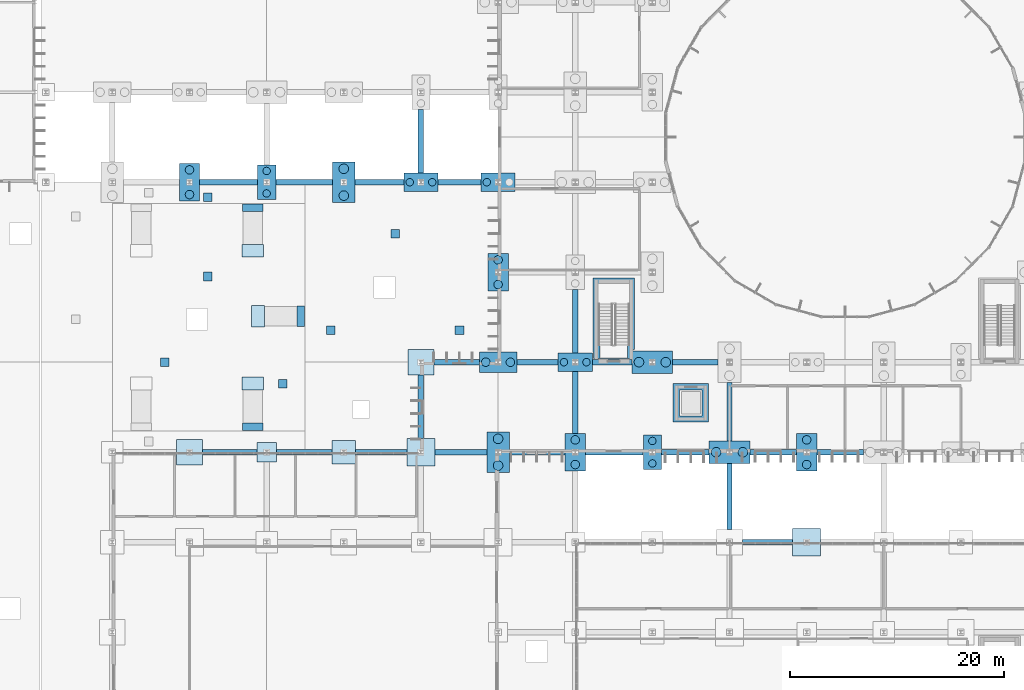
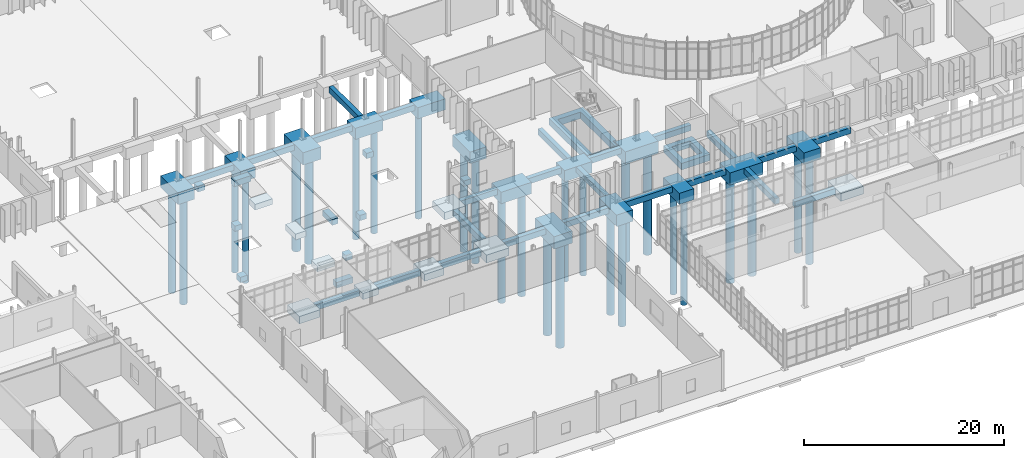
# One storey, part 2 of 118: 59 footings, 27 piles.
"""IFC4 building model written with IfcOpenShell, lengths in metres."""

from ifc_helpers import new_model, si_unit, direction, frame, origin, origin_2d, place, context, subcontext, project, spatial, polyline, rectangle, circle, outline, extrude, material, layer, layer_set, material_profile, profile_set, type_object, element, save


model = new_model("IFC4")

# Units and contexts
model_context = context("Model", 3, precision=1e-05, world=origin(), true_north=direction((0.0, 1.0)))
body_context = subcontext(model_context, "Body", "Model", "MODEL_VIEW")
ifc_project = project(units=[si_unit("LENGTHUNIT", "METRE"), si_unit("AREAUNIT", "SQUARE_METRE"), si_unit("VOLUMEUNIT", "CUBIC_METRE"), si_unit("PLANEANGLEUNIT", "RADIAN"), si_unit("MASSUNIT", "GRAM", prefix="KILO")], contexts=[model_context])

# Site, building, storey
site_placement = place(None, origin())
site = spatial("IfcSite", under=ifc_project, at=site_placement, CompositionType="ELEMENT")
building_placement = place(site_placement, origin())
building = spatial("IfcBuilding", under=site, at=building_placement, Name="Qelthora Terrace Specialist Clinic", CompositionType="ELEMENT")
storey_placement = place(building_placement, origin())
storey = spatial("IfcBuildingStorey", under=building, at=storey_placement, Name="L00", CompositionType="ELEMENT", Elevation=0.0)

# Footings
ifc_material = material(Name="Concrete C35/45", Category="concrete")
ifc_layer_1 = layer(ifc_material, 1.35009765625)
ifc_layer_set_1 = layer_set([ifc_layer_1], Name="Concrete C35/45")
footing_type_1 = type_object("IfcFootingType", Name="PC-1700X3200X1350", PredefinedType="PILE_CAP", material=ifc_layer_set_1)
for number, where, z_axis, x_axis, name in (
    (1, (72.0, 58.800048828125, -1.610107421875), (0.0, 0.0, 1.0), (1.0, 0.0, 0.0), "Foundation FTG-L00-125"),
    (2, (108.0, 33.60009765625, -1.610107421875), (0.0, 0.0, 1.0), (1.0, 0.0, 0.0), "Foundation FTG-L00-179"),
):
    element("IfcFooting", number, at=place(storey_placement, frame(where, z_axis=z_axis, x_axis=x_axis)), inside=storey, type_object=footing_type_1, Name=name, PredefinedType="PILE_CAP", context=body_context, shape_type="SweptSolid", body=[
        extrude(rectangle(XDim=1.699951171875, YDim=3.199951171875, at=origin_2d()), origin(), (0.0, 0.0, 1.0), 1.35009765625),
    ])
ifc_layer_2 = layer(ifc_material, 1.39990234375)
ifc_layer_set_2 = layer_set([ifc_layer_2], Name="Concrete C35/45")
footing_type_2 = type_object("IfcFootingType", Name="PC-1900X3500X1400", PredefinedType="PILE_CAP", material=ifc_layer_set_2)
for number, where, z_axis, x_axis, name in (
    (3, (64.800048828125, 58.800048828125, -1.659912109375), (0.0, 0.0, 1.0), (1.0, 0.0, 0.0), "Foundation FTG-L00-117"),
    (4, (93.60009765625, 50.39990234375, -1.659912109375), (0.0, 0.0, 1.0), (1.0, 0.0, 0.0), "Foundation FTG-L00-153"),
    (5, (100.800048828125, 33.60009765625, -1.659912109375), (0.0, 0.0, 1.0), (1.0, 0.0, 0.0), "Foundation FTG-L00-165"),
    (6, (122.39990234375, 33.60009765625, -1.659912109375), (0.0, 0.0, 1.0), (1.0, 0.0, 0.0), "Foundation FTG-L00-201"),
):
    element("IfcFooting", number, at=place(storey_placement, frame(where, z_axis=z_axis, x_axis=x_axis)), inside=storey, type_object=footing_type_2, Name=name, PredefinedType="PILE_CAP", context=body_context, shape_type="SweptSolid", body=[
        extrude(rectangle(XDim=1.89990234375, YDim=3.5, at=origin_2d()), origin(), (0.0, 0.0, 1.0), 1.39990234375),
    ])
ifc_layer_3 = layer(ifc_material, 1.5)
ifc_layer_set_3 = layer_set([ifc_layer_3], Name="Concrete C35/45")
footing_type_3 = type_object("IfcFootingType", Name="PC-2100X3800X1500", PredefinedType="PILE_CAP", material=ifc_layer_set_3)
for number, where, z_axis, x_axis, name in (
    (7, (79.199951171875, 58.800048828125, -1.760009765625), (0.0, 0.0, 1.0), (1.0, 0.0, 0.0), "Foundation FTG-L00-133"),
    (8, (93.60009765625, 33.60009765625, -1.760009765625), (0.0, 0.0, 1.0), (1.0, 0.0, 0.0), "Foundation FTG-L00-151"),
):
    element("IfcFooting", number, at=place(storey_placement, frame(where, z_axis=z_axis, x_axis=x_axis)), inside=storey, type_object=footing_type_3, Name=name, PredefinedType="PILE_CAP", context=body_context, shape_type="SweptSolid", body=[
        extrude(rectangle(XDim=2.10009765625, YDim=3.800048828125, at=origin_2d()), origin(), (0.0, 0.0, 1.0), 1.5),
    ])
ifc_layer_4 = layer(ifc_material, 1.35009765625)
ifc_layer_set_4 = layer_set([ifc_layer_4], Name="Concrete C35/45")
footing_type_4 = type_object("IfcFootingType", Name="PC-3200X1700X1350", PredefinedType="PILE_CAP", material=ifc_layer_set_4)
for number, where, z_axis, x_axis, name in (
    (9, (86.39990234375, 58.800048828125, -1.610107421875), (0.0, 0.0, 1.0), (1.0, 0.0, 0.0), "Foundation FTG-L00-142"),
    (10, (93.60009765625, 58.800048828125, -1.610107421875), (0.0, 0.0, 1.0), (1.0, 0.0, 0.0), "Foundation FTG-L00-154"),
    (11, (100.800048828125, 42.0, -1.610107421875), (0.0, 0.0, 1.0), (1.0, 0.0, 0.0), "Foundation FTG-L00-166"),
):
    element("IfcFooting", number, at=place(storey_placement, frame(where, z_axis=z_axis, x_axis=x_axis)), inside=storey, type_object=footing_type_4, Name=name, PredefinedType="PILE_CAP", context=body_context, shape_type="SweptSolid", body=[
        extrude(rectangle(XDim=3.199951171875, YDim=1.699951171875, at=origin_2d()), origin(), (0.0, 0.0, 1.0), 1.35009765625),
    ])
ifc_layer_5 = layer(ifc_material, 1.39990234375)
ifc_layer_set_5 = layer_set([ifc_layer_5], Name="Concrete C35/45")
footing_type_5 = type_object("IfcFootingType", Name="PC-3500X1900X1400", PredefinedType="PILE_CAP", material=ifc_layer_set_5)
footing_1_placement = place(storey_placement, frame((93.60009765625, 42.0, -1.659912109375), z_axis=(0.0, 0.0, 1.0), x_axis=(1.0, 0.0, 0.0)))
element("IfcFooting", 12, at=footing_1_placement, inside=storey, type_object=footing_type_5, Name="Foundation FTG-L00-152", PredefinedType="PILE_CAP", context=body_context, shape_type="SweptSolid", body=[
    extrude(rectangle(XDim=3.5, YDim=1.89990234375, at=origin_2d()), origin(), (0.0, 0.0, 1.0), 1.39990234375),
])
ifc_layer_6 = layer(ifc_material, 1.5)
ifc_layer_set_6 = layer_set([ifc_layer_6], Name="Concrete C35/45")
footing_type_6 = type_object("IfcFootingType", Name="PC-3800X2100X1500", PredefinedType="PILE_CAP", material=ifc_layer_set_6)
for number, where, z_axis, x_axis, name in (
    (13, (108.0, 42.0, -1.760009765625), (0.0, 0.0, 1.0), (1.0, 0.0, 0.0), "Foundation FTG-L00-180"),
    (14, (115.199951171875, 33.60009765625, -1.760009765625), (0.0, 0.0, 1.0), (1.0, 0.0, 0.0), "Foundation FTG-L00-192"),
):
    element("IfcFooting", number, at=place(storey_placement, frame(where, z_axis=z_axis, x_axis=x_axis)), inside=storey, type_object=footing_type_6, Name=name, PredefinedType="PILE_CAP", context=body_context, shape_type="SweptSolid", body=[
        extrude(rectangle(XDim=3.800048828125, YDim=2.10009765625, at=origin_2d()), origin(), (0.0, 0.0, 1.0), 1.5),
    ])
ifc_layer_7 = layer(ifc_material, 0.75)
ifc_layer_set_7 = layer_set([ifc_layer_7], Name="Concrete C35/45")
footing_type_7 = type_object("IfcFootingType", Name="PF-1800X1800X750", PredefinedType="PAD_FOOTING", material=ifc_layer_set_7)
footing_2_placement = place(storey_placement, frame((72.0, 33.60009765625, -1.010009765625), z_axis=(0.0, 0.0, 1.0), x_axis=(1.0, 0.0, 0.0)))
element("IfcFooting", 15, at=footing_2_placement, inside=storey, type_object=footing_type_7, Name="Foundation FTG-L00-124", PredefinedType="PAD_FOOTING", context=body_context, shape_type="SweptSolid", body=[
    extrude(rectangle(XDim=1.800048828125, YDim=1.800048828125, at=origin_2d()), origin(), (0.0, 0.0, 1.0), 0.75),
])
footing_3_placement = place(storey_placement, frame((0.0, 0.0, -1.199951171875)))
element("IfcFooting", 16, at=footing_3_placement, inside=storey, type_object=footing_type_7, Name="Pedestrian ramp PR-02 landing footing", PredefinedType="PAD_FOOTING", context=body_context, shape_type="SweptSolid", body=[
    extrude(outline(polyline([(69.699951171875, 39.39990234375), (71.699951171875, 39.39990234375), (71.699951171875, 40.60009765625), (69.699951171875, 40.60009765625), (69.699951171875, 39.39990234375)])), origin(), (0.0, 0.0, 1.0), 0.699951171875),
])
footing_4_placement = place(storey_placement, frame((0.0, 0.0, -0.949951171875)))
element("IfcFooting", 17, at=footing_4_placement, inside=storey, type_object=footing_type_7, Name="Pedestrian ramp PR-02 upper abutment footing", PredefinedType="PAD_FOOTING", context=body_context, shape_type="SweptSolid", body=[
    extrude(outline(polyline([(69.75, 35.6494140625), (71.64990234375, 35.6494140625), (71.64990234375, 36.349365234375), (69.75, 36.349365234375), (69.75, 35.6494140625)])), origin(), (0.0, 0.0, 1.0), 0.699951171875),
])
footing_5_placement = place(storey_placement, frame((0.0, 0.0, -1.199951171875)))
element("IfcFooting", 18, at=footing_5_placement, inside=storey, type_object=footing_type_7, Name="Pedestrian ramp PR-04 landing footing", PredefinedType="PAD_FOOTING", context=body_context, shape_type="SweptSolid", body=[
    extrude(outline(polyline([(69.699951171875, 51.800048828125), (71.699951171875, 51.800048828125), (71.699951171875, 53.0), (69.699951171875, 53.0), (69.699951171875, 51.800048828125)])), origin(), (0.0, 0.0, 1.0), 0.699951171875),
])
footing_6_placement = place(storey_placement, frame((0.0, 0.0, -0.949951171875)))
element("IfcFooting", 19, at=footing_6_placement, inside=storey, type_object=footing_type_7, Name="Pedestrian ramp PR-04 upper abutment footing", PredefinedType="PAD_FOOTING", context=body_context, shape_type="SweptSolid", body=[
    extrude(outline(polyline([(69.75, 56.050537109375), (71.64990234375, 56.050537109375), (71.64990234375, 56.75048828125), (69.75, 56.75048828125), (69.75, 56.050537109375)])), origin(), (0.0, 0.0, 1.0), 0.699951171875),
])
footing_7_placement = place(storey_placement, frame((0.0, 0.0, -1.199951171875)))
element("IfcFooting", 20, at=footing_7_placement, inside=storey, type_object=footing_type_7, Name="Pedestrian ramp PR-05 landing footing", PredefinedType="PAD_FOOTING", context=body_context, shape_type="SweptSolid", body=[
    extrude(outline(polyline([(70.60009765625, 45.300048828125), (71.800048828125, 45.300048828125), (71.800048828125, 47.300048828125), (70.60009765625, 47.300048828125), (70.60009765625, 45.300048828125)])), origin(), (0.0, 0.0, 1.0), 0.699951171875),
])
footing_8_placement = place(storey_placement, frame((0.0, 0.0, -0.949951171875)))
element("IfcFooting", 21, at=footing_8_placement, inside=storey, type_object=footing_type_7, Name="Pedestrian ramp PR-05 upper abutment footing", PredefinedType="PAD_FOOTING", context=body_context, shape_type="SweptSolid", body=[
    extrude(outline(polyline([(74.8505859375, 45.35009765625), (75.550537109375, 45.35009765625), (75.550537109375, 47.25), (74.8505859375, 47.25), (74.8505859375, 45.35009765625)])), origin(), (0.0, 0.0, 1.0), 0.699951171875),
])
ifc_layer_8 = layer(ifc_material, 0.85009765625)
ifc_layer_set_8 = layer_set([ifc_layer_8], Name="Concrete C35/45")
footing_type_8 = type_object("IfcFootingType", Name="PF-2200X2200X850", PredefinedType="PAD_FOOTING", material=ifc_layer_set_8)
footing_9_placement = place(storey_placement, frame((79.199951171875, 33.60009765625, -1.110107421875), z_axis=(0.0, 0.0, 1.0), x_axis=(1.0, 0.0, 0.0)))
element("IfcFooting", 22, at=footing_9_placement, inside=storey, type_object=footing_type_8, Name="Foundation FTG-L00-132", PredefinedType="PAD_FOOTING", context=body_context, shape_type="SweptSolid", body=[
    extrude(rectangle(XDim=2.199951171875, YDim=2.199951171875, at=origin_2d()), origin(), (0.0, 0.0, 1.0), 0.85009765625),
])
ifc_layer_9 = layer(ifc_material, 0.89990234375)
ifc_layer_set_9 = layer_set([ifc_layer_9], Name="Concrete C35/45")
footing_type_9 = type_object("IfcFootingType", Name="PF-2400X2400X900", PredefinedType="PAD_FOOTING", material=ifc_layer_set_9)
for number, where, z_axis, x_axis, name in (
    (23, (64.800048828125, 33.60009765625, -1.159912109375), (0.0, 0.0, 1.0), (1.0, 0.0, 0.0), "Foundation FTG-L00-116"),
    (24, (86.39990234375, 42.0, -1.159912109375), (0.0, 0.0, 1.0), (1.0, 0.0, 0.0), "Foundation FTG-L00-141"),
):
    element("IfcFooting", number, at=place(storey_placement, frame(where, z_axis=z_axis, x_axis=x_axis)), inside=storey, type_object=footing_type_9, Name=name, PredefinedType="PAD_FOOTING", context=body_context, shape_type="SweptSolid", body=[
        extrude(rectangle(XDim=2.39990234375, YDim=2.39990234375, at=origin_2d()), origin(), (0.0, 0.0, 1.0), 0.89990234375),
    ])
ifc_layer_10 = layer(ifc_material, 0.949951171875)
ifc_layer_set_10 = layer_set([ifc_layer_10], Name="Concrete C35/45")
footing_type_10 = type_object("IfcFootingType", Name="PF-2600X2600X950", PredefinedType="PAD_FOOTING", material=ifc_layer_set_10)
for number, where, z_axis, x_axis, name in (
    (25, (86.39990234375, 33.60009765625, -1.2099609375), (0.0, 0.0, 1.0), (1.0, 0.0, 0.0), "Foundation FTG-L00-140"),
    (26, (122.39990234375, 25.199951171875, -1.2099609375), (0.0, 0.0, 1.0), (1.0, 0.0, 0.0), "Foundation FTG-L00-200"),
):
    element("IfcFooting", number, at=place(storey_placement, frame(where, z_axis=z_axis, x_axis=x_axis)), inside=storey, type_object=footing_type_10, Name=name, PredefinedType="PAD_FOOTING", context=body_context, shape_type="SweptSolid", body=[
        extrude(rectangle(XDim=2.60009765625, YDim=2.60009765625, at=origin_2d()), origin(), (0.0, 0.0, 1.0), 0.949951171875),
    ])
ifc_layer_11 = layer(ifc_material, 0.64990234375)
ifc_layer_set_11 = layer_set([ifc_layer_11], Name="Concrete C35/45")
footing_type_11 = type_object("IfcFootingType", Name="PF-800X800X650", PredefinedType="PAD_FOOTING", material=ifc_layer_set_11)
for number, where, z_axis, x_axis, name in (
    (27, (66.5, 57.39990234375, -0.89990234375), (0.0, 0.0, 1.0), (1.0, 0.0, 0.0), "Under-slab apron pad footing FTG-PLZ-39"),
    (28, (78.0, 45.0, -0.89990234375), (0.0, 0.0, 1.0), (1.0, 0.0, 0.0), "Under-slab apron pad footing FTG-PLZ-41"),
    (29, (84.0, 54.0, -0.89990234375), (0.0, 0.0, 1.0), (1.0, 0.0, 0.0), "Under-slab apron pad footing FTG-PLZ-42"),
    (30, (90.0, 45.0, -0.89990234375), (0.0, 0.0, 1.0), (1.0, 0.0, 0.0), "Under-slab apron pad footing FTG-PLZ-43"),
    (31, (62.5, 42.0, -1.199951171875), (0.0, 0.0, 1.0), (1.0, 0.0, 0.0), "Sunken courtyard slab pad footing FTG-CRT2A-1"),
    (32, (66.5, 50.0, -1.199951171875), (0.0, 0.0, 1.0), (1.0, 0.0, 0.0), "Sunken courtyard slab pad footing FTG-CRT2A-2"),
    (33, (73.5, 40.0, -1.199951171875), (0.0, 0.0, 1.0), (1.0, 0.0, 0.0), "Sunken courtyard slab pad footing FTG-CRT2A-3"),
):
    element("IfcFooting", number, at=place(storey_placement, frame(where, z_axis=z_axis, x_axis=x_axis)), inside=storey, type_object=footing_type_11, Name=name, PredefinedType="PAD_FOOTING", context=body_context, shape_type="SweptSolid", body=[
        extrude(rectangle(XDim=0.800048828125, YDim=0.800048828125, at=origin_2d()), origin(), (0.0, 0.0, 1.0), 0.64990234375),
    ])

# Piles
ifc_material_profile_1 = material_profile(ifc_material, circle(Radius=0.35009765625, at=origin_2d()), Name="PILE700")
ifc_profile_set_1 = profile_set([ifc_material_profile_1], Name="Concrete C35/45")
pile_type_1 = type_object("IfcPileType", Name="PILE-D700-C35", PredefinedType="BORED", material=ifc_profile_set_1)
for number, where, z_axis, x_axis, name in (
    (34, (72.0, 57.75, -1.510009765625), (0.0, 0.0, -1.0), (1.0, 0.0, 0.0), "Bored pile PILE-L00-125-1"),
    (35, (72.0, 59.85009765625, -1.510009765625), (0.0, 0.0, -1.0), (1.0, 0.0, 0.0), "Bored pile PILE-L00-125-2"),
    (36, (85.35009765625, 58.800048828125, -1.510009765625), (0.0, 0.0, -1.0), (1.0, 0.0, 0.0), "Bored pile PILE-L00-142-1"),
    (37, (87.449951171875, 58.800048828125, -1.510009765625), (0.0, 0.0, -1.0), (1.0, 0.0, 0.0), "Bored pile PILE-L00-142-2"),
    (38, (92.550048828125, 58.800048828125, -1.510009765625), (0.0, 0.0, -1.0), (1.0, 0.0, 0.0), "Bored pile PILE-L00-154-1"),
    (39, (99.75, 42.0, -1.510009765625), (0.0, 0.0, -1.0), (1.0, 0.0, 0.0), "Bored pile PILE-L00-166-1"),
    (40, (101.85009765625, 42.0, -1.510009765625), (0.0, 0.0, -1.0), (1.0, 0.0, 0.0), "Bored pile PILE-L00-166-2"),
    (41, (108.0, 32.550048828125, -1.510009765625), (0.0, 0.0, -1.0), (1.0, 0.0, 0.0), "Bored pile PILE-L00-179-1"),
    (42, (108.0, 34.64990234375, -1.510009765625), (0.0, 0.0, -1.0), (1.0, 0.0, 0.0), "Bored pile PILE-L00-179-2"),
):
    element("IfcPile", number, at=place(storey_placement, frame(where, z_axis=z_axis, x_axis=x_axis)), inside=storey, type_object=pile_type_1, Name=name, PredefinedType="BORED", context=body_context, shape_type="SweptSolid", body=[
        extrude(circle(Radius=0.35009765625, at=origin_2d()), origin(), (0.0, 0.0, 1.0), 12.7900390625),
    ])
ifc_material_profile_2 = material_profile(ifc_material, circle(Radius=0.39990234375, at=origin_2d()), Name="PILE800")
ifc_profile_set_2 = profile_set([ifc_material_profile_2], Name="Concrete C35/45")
pile_type_2 = type_object("IfcPileType", Name="PILE-D800-C35", PredefinedType="BORED", material=ifc_profile_set_2)
for number, where, z_axis, x_axis, name in (
    (43, (64.800048828125, 57.64990234375, -1.56005859375), (0.0, 0.0, -1.0), (1.0, 0.0, 0.0), "Bored pile PILE-L00-117-1"),
    (44, (64.800048828125, 59.949951171875, -1.56005859375), (0.0, 0.0, -1.0), (1.0, 0.0, 0.0), "Bored pile PILE-L00-117-2"),
    (45, (92.449951171875, 42.0, -1.56005859375), (0.0, 0.0, -1.0), (1.0, 0.0, 0.0), "Bored pile PILE-L00-152-1"),
    (46, (94.75, 42.0, -1.56005859375), (0.0, 0.0, -1.0), (1.0, 0.0, 0.0), "Bored pile PILE-L00-152-2"),
    (47, (93.60009765625, 49.25, -1.56005859375), (0.0, 0.0, -1.0), (1.0, 0.0, 0.0), "Bored pile PILE-L00-153-1"),
    (48, (93.60009765625, 51.550048828125, -1.56005859375), (0.0, 0.0, -1.0), (1.0, 0.0, 0.0), "Bored pile PILE-L00-153-2"),
    (49, (100.800048828125, 32.449951171875, -1.56005859375), (0.0, 0.0, -1.0), (1.0, 0.0, 0.0), "Bored pile PILE-L00-165-1"),
    (50, (100.800048828125, 34.75, -1.56005859375), (0.0, 0.0, -1.0), (1.0, 0.0, 0.0), "Bored pile PILE-L00-165-2"),
    (51, (122.39990234375, 32.449951171875, -1.56005859375), (0.0, 0.0, -1.0), (1.0, 0.0, 0.0), "Bored pile PILE-L00-201-1"),
    (52, (122.39990234375, 34.75, -1.56005859375), (0.0, 0.0, -1.0), (1.0, 0.0, 0.0), "Bored pile PILE-L00-201-2"),
):
    element("IfcPile", number, at=place(storey_placement, frame(where, z_axis=z_axis, x_axis=x_axis)), inside=storey, type_object=pile_type_2, Name=name, PredefinedType="BORED", context=body_context, shape_type="SweptSolid", body=[
        extrude(circle(Radius=0.39990234375, at=origin_2d()), origin(), (0.0, 0.0, 1.0), 12.739990234375),
    ])
ifc_material_profile_3 = material_profile(ifc_material, circle(Radius=0.449951171875, at=origin_2d()), Name="PILE900")
ifc_profile_set_3 = profile_set([ifc_material_profile_3], Name="Concrete C35/45")
pile_type_3 = type_object("IfcPileType", Name="PILE-D900-C35", PredefinedType="BORED", material=ifc_profile_set_3)
for number, where, z_axis, x_axis, name in (
    (53, (79.199951171875, 57.550048828125, -1.659912109375), (0.0, 0.0, -1.0), (1.0, 0.0, 0.0), "Bored pile PILE-L00-133-1"),
    (54, (79.199951171875, 60.050048828125, -1.659912109375), (0.0, 0.0, -1.0), (1.0, 0.0, 0.0), "Bored pile PILE-L00-133-2"),
    (55, (93.60009765625, 32.35009765625, -1.659912109375), (0.0, 0.0, -1.0), (1.0, 0.0, 0.0), "Bored pile PILE-L00-151-1"),
    (56, (93.60009765625, 34.85009765625, -1.659912109375), (0.0, 0.0, -1.0), (1.0, 0.0, 0.0), "Bored pile PILE-L00-151-2"),
    (57, (106.75, 42.0, -1.659912109375), (0.0, 0.0, -1.0), (1.0, 0.0, 0.0), "Bored pile PILE-L00-180-1"),
    (58, (109.25, 42.0, -1.659912109375), (0.0, 0.0, -1.0), (1.0, 0.0, 0.0), "Bored pile PILE-L00-180-2"),
    (59, (113.949951171875, 33.60009765625, -1.659912109375), (0.0, 0.0, -1.0), (1.0, 0.0, 0.0), "Bored pile PILE-L00-192-1"),
    (60, (116.449951171875, 33.60009765625, -1.659912109375), (0.0, 0.0, -1.0), (1.0, 0.0, 0.0), "Bored pile PILE-L00-192-2"),
):
    element("IfcPile", number, at=place(storey_placement, frame(where, z_axis=z_axis, x_axis=x_axis)), inside=storey, type_object=pile_type_3, Name=name, PredefinedType="BORED", context=body_context, shape_type="SweptSolid", body=[
        extrude(circle(Radius=0.449951171875, at=origin_2d()), origin(), (0.0, 0.0, 1.0), 12.639892578125),
    ])

# Footings
ifc_layer_12 = layer(ifc_material, 0.699951171875)
ifc_layer_set_12 = layer_set([ifc_layer_12], Name="Concrete C35/45")
footing_type_12 = type_object("IfcFootingType", Name="SF-500X700-C35", PredefinedType="STRIP_FOOTING", material=ifc_layer_set_12)
footing_10_placement = place(storey_placement, frame((0.0, 0.0, -0.9599609375)))
element("IfcFooting", 61, at=footing_10_placement, inside=storey, type_object=footing_type_12, Name="Foundation tie strip SF-X-148", PredefinedType="STRIP_FOOTING", context=body_context, shape_type="SweptSolid", body=[
    extrude(outline(polyline([(66.0, 33.35009765625), (71.10009765625, 33.35009765625), (71.10009765625, 33.85009765625), (66.0, 33.85009765625), (66.0, 33.35009765625)])), origin(), (0.0, 0.0, 1.0), 0.699951171875),
])
footing_11_placement = place(storey_placement, frame((0.0, 0.0, -0.9599609375)))
element("IfcFooting", 62, at=footing_11_placement, inside=storey, type_object=footing_type_12, Name="Foundation tie strip SF-X-149", PredefinedType="STRIP_FOOTING", context=body_context, shape_type="SweptSolid", body=[
    extrude(outline(polyline([(65.75, 58.550048828125), (71.14990234375, 58.550048828125), (71.14990234375, 59.050048828125), (65.75, 59.050048828125), (65.75, 58.550048828125)])), origin(), (0.0, 0.0, 1.0), 0.699951171875),
])
footing_12_placement = place(storey_placement, frame((0.0, 0.0, -0.9599609375)))
element("IfcFooting", 63, at=footing_12_placement, inside=storey, type_object=footing_type_12, Name="Foundation tie strip SF-X-157", PredefinedType="STRIP_FOOTING", context=body_context, shape_type="SweptSolid", body=[
    extrude(outline(polyline([(72.89990234375, 33.35009765625), (78.10009765625, 33.35009765625), (78.10009765625, 33.85009765625), (72.89990234375, 33.85009765625), (72.89990234375, 33.35009765625)])), origin(), (0.0, 0.0, 1.0), 0.699951171875),
])
footing_13_placement = place(storey_placement, frame((0.0, 0.0, -0.9599609375)))
element("IfcFooting", 64, at=footing_13_placement, inside=storey, type_object=footing_type_12, Name="Foundation tie strip SF-X-158", PredefinedType="STRIP_FOOTING", context=body_context, shape_type="SweptSolid", body=[
    extrude(outline(polyline([(72.85009765625, 58.550048828125), (78.14990234375, 58.550048828125), (78.14990234375, 59.050048828125), (72.85009765625, 59.050048828125), (72.85009765625, 58.550048828125)])), origin(), (0.0, 0.0, 1.0), 0.699951171875),
])
footing_14_placement = place(storey_placement, frame((0.0, 0.0, -0.9599609375)))
element("IfcFooting", 65, at=footing_14_placement, inside=storey, type_object=footing_type_12, Name="Foundation tie strip SF-X-168", PredefinedType="STRIP_FOOTING", context=body_context, shape_type="SweptSolid", body=[
    extrude(outline(polyline([(80.300048828125, 33.35009765625), (85.10009765625, 33.35009765625), (85.10009765625, 33.85009765625), (80.300048828125, 33.85009765625), (80.300048828125, 33.35009765625)])), origin(), (0.0, 0.0, 1.0), 0.699951171875),
])
footing_15_placement = place(storey_placement, frame((0.0, 0.0, -0.9599609375)))
element("IfcFooting", 66, at=footing_15_placement, inside=storey, type_object=footing_type_12, Name="Foundation tie strip SF-X-169", PredefinedType="STRIP_FOOTING", context=body_context, shape_type="SweptSolid", body=[
    extrude(outline(polyline([(80.25, 58.550048828125), (84.800048828125, 58.550048828125), (84.800048828125, 59.050048828125), (80.25, 59.050048828125), (80.25, 58.550048828125)])), origin(), (0.0, 0.0, 1.0), 0.699951171875),
])
footing_16_placement = place(storey_placement, frame((0.0, 0.0, -0.9599609375)))
element("IfcFooting", 67, at=footing_16_placement, inside=storey, type_object=footing_type_12, Name="Foundation tie strip SF-X-177", PredefinedType="STRIP_FOOTING", context=body_context, shape_type="SweptSolid", body=[
    extrude(outline(polyline([(87.699951171875, 33.35009765625), (92.550048828125, 33.35009765625), (92.550048828125, 33.85009765625), (87.699951171875, 33.85009765625), (87.699951171875, 33.35009765625)])), origin(), (0.0, 0.0, 1.0), 0.699951171875),
])
footing_17_placement = place(storey_placement, frame((0.0, 0.0, -0.9599609375)))
element("IfcFooting", 68, at=footing_17_placement, inside=storey, type_object=footing_type_12, Name="Foundation tie strip SF-Y-178", PredefinedType="STRIP_FOOTING", context=body_context, shape_type="SweptSolid", body=[
    extrude(outline(polyline([(86.14990234375, 34.89990234375), (86.64990234375, 34.89990234375), (86.64990234375, 40.800048828125), (86.14990234375, 40.800048828125), (86.14990234375, 34.89990234375)])), origin(), (0.0, 0.0, 1.0), 0.699951171875),
])
footing_18_placement = place(storey_placement, frame((0.0, 0.0, -0.9599609375)))
element("IfcFooting", 69, at=footing_18_placement, inside=storey, type_object=footing_type_12, Name="Foundation tie strip SF-X-179", PredefinedType="STRIP_FOOTING", context=body_context, shape_type="SweptSolid", body=[
    extrude(outline(polyline([(87.60009765625, 41.75), (91.85009765625, 41.75), (91.85009765625, 42.25), (87.60009765625, 42.25), (87.60009765625, 41.75)])), origin(), (0.0, 0.0, 1.0), 0.699951171875),
])
footing_19_placement = place(storey_placement, frame((0.0, 0.0, -0.9599609375)))
element("IfcFooting", 70, at=footing_19_placement, inside=storey, type_object=footing_type_12, Name="Foundation tie strip SF-X-180", PredefinedType="STRIP_FOOTING", context=body_context, shape_type="SweptSolid", body=[
    extrude(outline(polyline([(88.0, 58.550048828125), (92.0, 58.550048828125), (92.0, 59.050048828125), (88.0, 59.050048828125), (88.0, 58.550048828125)])), origin(), (0.0, 0.0, 1.0), 0.699951171875),
])
footing_20_placement = place(storey_placement, frame((0.0, 0.0, -0.9599609375)))
element("IfcFooting", 71, at=footing_20_placement, inside=storey, type_object=footing_type_12, Name="Foundation tie strip SF-Y-181", PredefinedType="STRIP_FOOTING", context=body_context, shape_type="SweptSolid", body=[
    extrude(outline(polyline([(86.14990234375, 59.64990234375), (86.64990234375, 59.64990234375), (86.64990234375, 65.60009765625), (86.14990234375, 65.60009765625), (86.14990234375, 59.64990234375)])), origin(), (0.0, 0.0, 1.0), 0.699951171875),
])
footing_21_placement = place(storey_placement, frame((0.0, 0.0, -0.9599609375)))
element("IfcFooting", 72, at=footing_21_placement, inside=storey, type_object=footing_type_12, Name="Foundation tie strip SF-X-192", PredefinedType="STRIP_FOOTING", context=body_context, shape_type="SweptSolid", body=[
    extrude(outline(polyline([(94.64990234375, 33.35009765625), (99.85009765625, 33.35009765625), (99.85009765625, 33.85009765625), (94.64990234375, 33.85009765625), (94.64990234375, 33.35009765625)])), origin(), (0.0, 0.0, 1.0), 0.699951171875),
])
footing_22_placement = place(storey_placement, frame((0.0, 0.0, -0.9599609375)))
element("IfcFooting", 73, at=footing_22_placement, inside=storey, type_object=footing_type_12, Name="Foundation tie strip SF-X-193", PredefinedType="STRIP_FOOTING", context=body_context, shape_type="SweptSolid", body=[
    extrude(outline(polyline([(95.35009765625, 41.75), (99.199951171875, 41.75), (99.199951171875, 42.25), (95.35009765625, 42.25), (95.35009765625, 41.75)])), origin(), (0.0, 0.0, 1.0), 0.699951171875),
])
footing_23_placement = place(storey_placement, frame((0.0, 0.0, -0.9599609375)))
element("IfcFooting", 74, at=footing_23_placement, inside=storey, type_object=footing_type_12, Name="Foundation tie strip SF-X-210", PredefinedType="STRIP_FOOTING", context=body_context, shape_type="SweptSolid", body=[
    extrude(outline(polyline([(101.75, 33.35009765625), (107.14990234375, 33.35009765625), (107.14990234375, 33.85009765625), (101.75, 33.85009765625), (101.75, 33.35009765625)])), origin(), (0.0, 0.0, 1.0), 0.699951171875),
])
footing_24_placement = place(storey_placement, frame((0.0, 0.0, -0.9599609375)))
element("IfcFooting", 75, at=footing_24_placement, inside=storey, type_object=footing_type_12, Name="Foundation tie strip SF-Y-211", PredefinedType="STRIP_FOOTING", context=body_context, shape_type="SweptSolid", body=[
    extrude(outline(polyline([(100.550048828125, 35.35009765625), (101.050048828125, 35.35009765625), (101.050048828125, 41.14990234375), (100.550048828125, 41.14990234375), (100.550048828125, 35.35009765625)])), origin(), (0.0, 0.0, 1.0), 0.699951171875),
])
footing_25_placement = place(storey_placement, frame((0.0, 0.0, -0.9599609375)))
element("IfcFooting", 76, at=footing_25_placement, inside=storey, type_object=footing_type_12, Name="Foundation tie strip SF-X-212", PredefinedType="STRIP_FOOTING", context=body_context, shape_type="SweptSolid", body=[
    extrude(outline(polyline([(102.39990234375, 41.75), (106.10009765625, 41.75), (106.10009765625, 42.25), (102.39990234375, 42.25), (102.39990234375, 41.75)])), origin(), (0.0, 0.0, 1.0), 0.699951171875),
])
footing_26_placement = place(storey_placement, frame((0.0, 0.0, -0.9599609375)))
element("IfcFooting", 77, at=footing_26_placement, inside=storey, type_object=footing_type_12, Name="Foundation tie strip SF-Y-213", PredefinedType="STRIP_FOOTING", context=body_context, shape_type="SweptSolid", body=[
    extrude(outline(polyline([(100.550048828125, 42.85009765625), (101.050048828125, 42.85009765625), (101.050048828125, 48.800048828125), (100.550048828125, 48.800048828125), (100.550048828125, 42.85009765625)])), origin(), (0.0, 0.0, 1.0), 0.699951171875),
])
footing_27_placement = place(storey_placement, frame((0.0, 0.0, -0.9599609375)))
element("IfcFooting", 78, at=footing_27_placement, inside=storey, type_object=footing_type_12, Name="Foundation tie strip SF-X-232", PredefinedType="STRIP_FOOTING", context=body_context, shape_type="SweptSolid", body=[
    extrude(outline(polyline([(108.85009765625, 33.35009765625), (113.300048828125, 33.35009765625), (113.300048828125, 33.85009765625), (108.85009765625, 33.85009765625), (108.85009765625, 33.35009765625)])), origin(), (0.0, 0.0, 1.0), 0.699951171875),
])
footing_28_placement = place(storey_placement, frame((0.0, 0.0, -0.9599609375)))
element("IfcFooting", 79, at=footing_28_placement, inside=storey, type_object=footing_type_12, Name="Foundation tie strip SF-X-233", PredefinedType="STRIP_FOOTING", context=body_context, shape_type="SweptSolid", body=[
    extrude(outline(polyline([(109.89990234375, 41.75), (114.14990234375, 41.75), (114.14990234375, 42.25), (109.89990234375, 42.25), (109.89990234375, 41.75)])), origin(), (0.0, 0.0, 1.0), 0.699951171875),
])
footing_29_placement = place(storey_placement, frame((0.0, 0.0, -0.9599609375)))
element("IfcFooting", 80, at=footing_29_placement, inside=storey, type_object=footing_type_12, Name="Foundation tie strip SF-X-241", PredefinedType="STRIP_FOOTING", context=body_context, shape_type="SweptSolid", body=[
    extrude(outline(polyline([(116.39990234375, 24.949951171875), (121.10009765625, 24.949951171875), (121.10009765625, 25.449951171875), (116.39990234375, 25.449951171875), (116.39990234375, 24.949951171875)])), origin(), (0.0, 0.0, 1.0), 0.699951171875),
])
footing_30_placement = place(storey_placement, frame((0.0, 0.0, -0.9599609375)))
element("IfcFooting", 81, at=footing_30_placement, inside=storey, type_object=footing_type_12, Name="Foundation tie strip SF-Y-242", PredefinedType="STRIP_FOOTING", context=body_context, shape_type="SweptSolid", body=[
    extrude(outline(polyline([(114.949951171875, 26.39990234375), (115.449951171875, 26.39990234375), (115.449951171875, 32.550048828125), (114.949951171875, 32.550048828125), (114.949951171875, 26.39990234375)])), origin(), (0.0, 0.0, 1.0), 0.699951171875),
])
footing_31_placement = place(storey_placement, frame((0.0, 0.0, -0.9599609375)))
element("IfcFooting", 82, at=footing_31_placement, inside=storey, type_object=footing_type_12, Name="Foundation tie strip SF-X-243", PredefinedType="STRIP_FOOTING", context=body_context, shape_type="SweptSolid", body=[
    extrude(outline(polyline([(117.10009765625, 33.35009765625), (121.449951171875, 33.35009765625), (121.449951171875, 33.85009765625), (117.10009765625, 33.85009765625), (117.10009765625, 33.35009765625)])), origin(), (0.0, 0.0, 1.0), 0.699951171875),
])
footing_32_placement = place(storey_placement, frame((0.0, 0.0, -0.9599609375)))
element("IfcFooting", 83, at=footing_32_placement, inside=storey, type_object=footing_type_12, Name="Foundation tie strip SF-Y-244", PredefinedType="STRIP_FOOTING", context=body_context, shape_type="SweptSolid", body=[
    extrude(outline(polyline([(114.949951171875, 34.64990234375), (115.449951171875, 34.64990234375), (115.449951171875, 40.10009765625), (114.949951171875, 40.10009765625), (114.949951171875, 34.64990234375)])), origin(), (0.0, 0.0, 1.0), 0.699951171875),
])
footing_33_placement = place(storey_placement, frame((0.0, 0.0, -0.9599609375)))
element("IfcFooting", 84, at=footing_33_placement, inside=storey, type_object=footing_type_12, Name="Foundation tie strip SF-X-256", PredefinedType="STRIP_FOOTING", context=body_context, shape_type="SweptSolid", body=[
    extrude(outline(polyline([(123.35009765625, 33.35009765625), (127.699951171875, 33.35009765625), (127.699951171875, 33.85009765625), (123.35009765625, 33.85009765625), (123.35009765625, 33.35009765625)])), origin(), (0.0, 0.0, 1.0), 0.699951171875),
])
ifc_layer_13 = layer(ifc_material, 0.800048828125)
ifc_layer_set_13 = layer_set([ifc_layer_13], Name="Concrete C35/45")
footing_type_13 = type_object("IfcFootingType", Name="SF-600X800-C35", PredefinedType="STRIP_FOOTING", material=ifc_layer_set_13)
footing_34_placement = place(storey_placement, frame((0.0, 0.0, -1.06005859375)))
element("IfcFooting", 85, at=footing_34_placement, inside=storey, type_object=footing_type_13, Name="Core wall strip footing ST-05-01", PredefinedType="STRIP_FOOTING", context=body_context, shape_type="SweptSolid", body=[
    extrude(outline(polyline([(106.35009765625, 49.85009765625), (106.35009765625, 43.169921875), (105.97998046875, 43.169921875), (105.97998046875, 42.330078125), (102.52001953125, 42.330078125), (102.52001953125, 42.969970703125), (102.449951171875, 42.969970703125), (102.449951171875, 49.85009765625), (106.35009765625, 49.85009765625)]), holes=[polyline([(105.699951171875, 49.199951171875), (103.10009765625, 49.199951171875), (103.10009765625, 42.39990234375), (105.699951171875, 42.39990234375), (105.699951171875, 49.199951171875)])]), origin(), (0.0, 0.0, 1.0), 0.800048828125),
])
footing_35_placement = place(storey_placement, frame((0.0, 0.0, -1.06005859375)))
element("IfcFooting", 86, at=footing_35_placement, inside=storey, type_object=footing_type_13, Name="Core wall strip footing PL-01-05", PredefinedType="STRIP_FOOTING", context=body_context, shape_type="SweptSolid", body=[
    extrude(outline(polyline([(113.25, 40.0), (113.25, 36.39990234375), (109.949951171875, 36.39990234375), (109.949951171875, 40.0), (113.25, 40.0)]), holes=[polyline([(112.64990234375, 39.39990234375), (110.550048828125, 39.39990234375), (110.550048828125, 37.0), (112.64990234375, 37.0), (112.64990234375, 39.39990234375)])]), origin(), (0.0, 0.0, 1.0), 0.800048828125),
])

save(model, "model.ifc")
